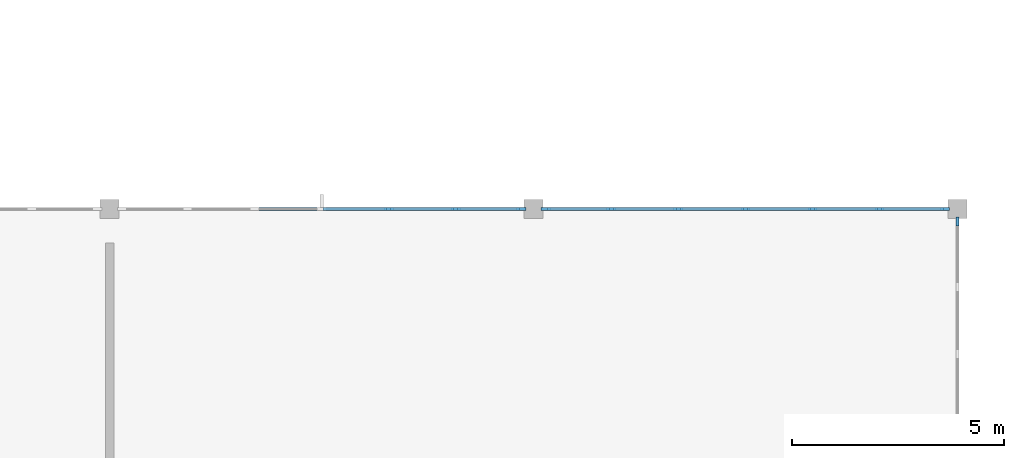
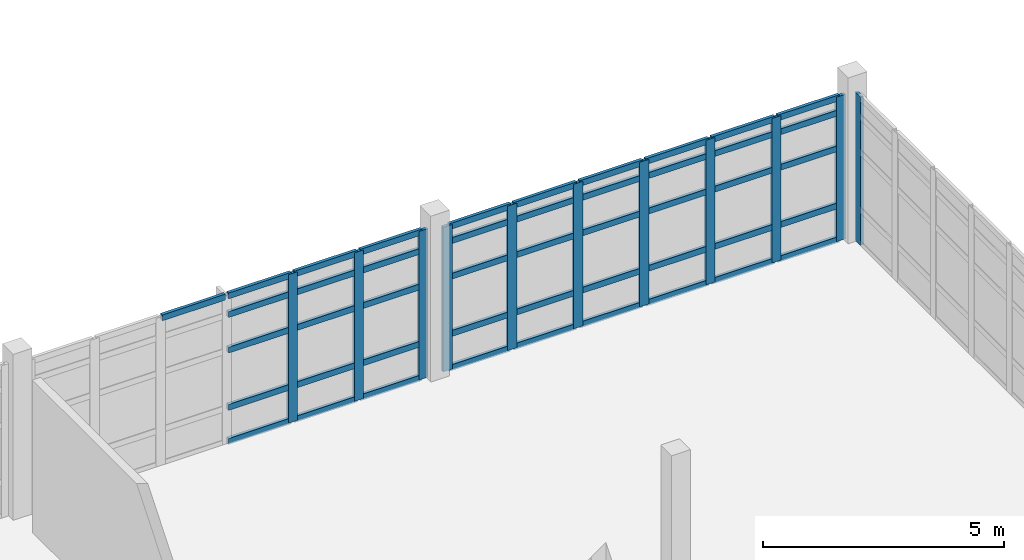
# One storey, part 70 of 122: 57 members, 3 elements without a shape of their own.
"""IFC4 building model written with IfcOpenShell, lengths in metres."""

import ifcopenshell
import ifcopenshell.guid

model = None  # the IFC model being written
_history = None  # IfcOwnerHistory: only IFC2X3 demands one
_inside = {}  # id of a spatial element -> (the spatial element, [elements in it])
_under = {}  # id of a project, library or spatial element -> (it, [spatial elements below it])
_declared = {}  # id of a project -> (the project, [libraries it declares])
_typed = {}  # id of a type object -> (the type object, [elements of that type])
_made_of = {}  # id of a material, layer set ... -> (it, [elements and type objects made of it])


def new_model(schema):
    """Start an empty IFC model of exactly this schema.

    Asked for "IFC4X3", IfcOpenShell would pick the latest addendum, in which some entities
    have other attributes; the version numbers below select the first issue.
    IFC2X3 requires an IfcOwnerHistory on every rooted entity: one is made here for all.
    """
    global model, _history
    if schema == "IFC4X3":
        model = ifcopenshell.file(schema_version=(4, 3, 0, 0))
    else:
        model = ifcopenshell.file(schema=schema)
    _inside.clear()
    _under.clear()
    _declared.clear()
    _typed.clear()
    _made_of.clear()
    _history = None
    if model.schema == "IFC2X3":
        org = make("IfcOrganization", Name="unknown")
        user = make(
            "IfcPersonAndOrganization",
            ThePerson=make("IfcPerson", FamilyName="unknown"),
            TheOrganization=org,
        )
        app = make(
            "IfcApplication",
            ApplicationDeveloper=org,
            Version="unknown",
            ApplicationFullName="unknown",
            ApplicationIdentifier="unknown",
        )
        _history = make(
            "IfcOwnerHistory",
            OwningUser=user,
            OwningApplication=app,
            ChangeAction="ADDED",
            CreationDate=0,
        )
    return model


def make(cls, **values):
    """One entity of the class cls with the attributes given. An attribute that is None is left unset."""
    return model.create_entity(
        cls, **{name: value for name, value in values.items() if value is not None}
    )


def rooted(cls, **values):
    """An entity with a GlobalId (a new one), such as an element, a storey or a relation."""
    return make(cls, GlobalId=ifcopenshell.guid.new(), OwnerHistory=_history, **values)


def si_unit(unit_type, name, prefix=None):
    """IfcSIUnit, for example si_unit("LENGTHUNIT", "METRE", prefix="MILLI")."""
    return make("IfcSIUnit", UnitType=unit_type, Prefix=prefix, Name=name)


def assignment(units):
    """IfcUnitAssignment: the units of a project."""
    return None if units is None else make("IfcUnitAssignment", Units=units)


def point(xyz):
    """IfcCartesianPoint."""
    return None if xyz is None else make("IfcCartesianPoint", Coordinates=xyz)


def direction(xyz):
    """IfcDirection."""
    return None if xyz is None else make("IfcDirection", DirectionRatios=xyz)


def frame(location, z_axis=None, x_axis=None):
    """IfcAxis2Placement3D, a coordinate frame: its origin and axes. An axis left out is left unset."""
    return make(
        "IfcAxis2Placement3D",
        Location=point(location),
        Axis=direction(z_axis),
        RefDirection=direction(x_axis),
    )


def frame_2d(location, x_axis=None):
    """IfcAxis2Placement2D, a coordinate frame in the plane: its origin and x axis."""
    return make(
        "IfcAxis2Placement2D", Location=point(location), RefDirection=direction(x_axis)
    )


def origin():
    """The frame at (0, 0, 0) with its axes left unset."""
    return frame((0.0, 0.0, 0.0))


def origin_2d():
    """The frame at (0, 0) in the plane with its x axis left unset."""
    return frame_2d((0.0, 0.0))


def place(relative_to, where):
    """IfcLocalPlacement: puts the frame where relative to a parent placement (None: the world)."""
    return make(
        "IfcLocalPlacement", PlacementRelTo=relative_to, RelativePlacement=where
    )


def context(
    kind, dimensions, precision=None, world=None, true_north=None, identifier=None
):
    """IfcGeometricRepresentationContext, for example the 3D "Model" context."""
    return make(
        "IfcGeometricRepresentationContext",
        ContextIdentifier=identifier,
        ContextType=kind,
        CoordinateSpaceDimension=dimensions,
        Precision=precision,
        WorldCoordinateSystem=world,
        TrueNorth=true_north,
    )


def subcontext(parent, identifier, kind, view, scale=None):
    """IfcGeometricRepresentationSubContext, for example "Body" below "Model"."""
    return make(
        "IfcGeometricRepresentationSubContext",
        ContextIdentifier=identifier,
        ContextType=kind,
        ParentContext=parent,
        TargetScale=scale,
        TargetView=view,
    )


def project(units=None, contexts=None):
    """IfcProject with its units and contexts."""
    return rooted(
        "IfcProject",
        Name="project",
        RepresentationContexts=contexts,
        UnitsInContext=assignment(units),
    )


def spatial(cls, under=None, at=None, **own):
    """A site, building, storey or space (cls), placed at a placement, below another one or the project."""
    s = rooted(cls, ObjectPlacement=at, **own)
    if under is not None:
        _under.setdefault(under.id(), (under, []))[1].append(s)
    return s


def profile(cls, at=None, kind="AREA", **sizes):
    """A parametric profile (cls). Its sizes go by their IFC names, for example OverallWidth=200.0."""
    return make(cls, ProfileType=kind, Position=at, **sizes)


def rectangle(**sizes):
    """IfcRectangleProfileDef."""
    return profile("IfcRectangleProfileDef", **sizes)


def extrude(swept, where, along, depth):
    """IfcExtrudedAreaSolid: the profile swept, set in the frame where, extruded along a direction by depth."""
    return make(
        "IfcExtrudedAreaSolid",
        SweptArea=swept,
        Position=where,
        ExtrudedDirection=direction(along),
        Depth=depth,
    )


def shape(context_of_items, identifier, shape_type, items):
    """IfcShapeRepresentation: the items that make up one representation, for example the "Body"."""
    return make(
        "IfcShapeRepresentation",
        ContextOfItems=context_of_items,
        RepresentationIdentifier=identifier,
        RepresentationType=shape_type,
        Items=items,
    )


def material(Name=None, Category=None):
    """IfcMaterial."""
    return make("IfcMaterial", Name=Name, Category=Category)


def layer(
    of_material, thickness, ventilated=None, Name=None, Category=None, Priority=None
):
    """IfcMaterialLayer: one layer of a wall or slab, of a material (None: an air gap)."""
    return make(
        "IfcMaterialLayer",
        Material=of_material,
        LayerThickness=thickness,
        IsVentilated=ventilated,
        Name=Name,
        Category=Category,
        Priority=Priority,
    )


def layer_set(layers, Name=None):
    """IfcMaterialLayerSet."""
    return make("IfcMaterialLayerSet", MaterialLayers=layers, LayerSetName=Name)


def material_profile(
    of_material, cross_section, Name=None, Category=None, Priority=None
):
    """IfcMaterialProfile: a cross section and its material."""
    return make(
        "IfcMaterialProfile",
        Name=Name,
        Material=of_material,
        Profile=cross_section,
        Priority=Priority,
        Category=Category,
    )


def profile_set(profiles, Name=None, composite=None):
    """IfcMaterialProfileSet."""
    return make(
        "IfcMaterialProfileSet",
        Name=Name,
        MaterialProfiles=profiles,
        CompositeProfile=composite,
    )


def made_of(thing, what):
    """Note that an element or type object is made of a material, layer set ...; save() writes the relation."""
    if what is not None:
        _made_of.setdefault(what.id(), (what, []))[1].append(thing)
    return thing


def type_object(cls, material=None, **own):
    """A type object (cls), such as IfcWallType, which elements share."""
    return made_of(rooted(cls, **own), material)


def element(
    cls,
    number,
    at=None,
    inside=None,
    cuts=None,
    type_object=None,
    material=None,
    context=None,
    identifier="Body",
    shape_type=None,
    held_by="IfcProductDefinitionShape",
    body=None,
    shapes=None,
    **own,
):
    """One element of the class cls, such as IfcWall. Its Tag is "e" and its number.

    at: its placement. inside: the storey or other place that contains it. cuts: it is an
    opening in that element (IfcRelVoidsElement). A single representation is given by context,
    identifier, shape_type and body (its items); several are given by shapes. held_by: the class
    of the entity that holds the representations. save() writes the other relations.
    """
    e = rooted(cls, Tag="e%d" % number, ObjectPlacement=at, **own)
    if body is not None:
        shapes = [shape(context, identifier, shape_type, body)]
    if shapes is not None:
        e.Representation = make(held_by, Representations=shapes)
    if inside is not None:
        _inside.setdefault(inside.id(), (inside, []))[1].append(e)
    if cuts is not None:
        rooted(
            "IfcRelVoidsElement", RelatingBuildingElement=cuts, RelatedOpeningElement=e
        )
    if type_object is not None:
        _typed.setdefault(type_object.id(), (type_object, []))[1].append(e)
    return made_of(e, material)


def aggregate(whole, parts):
    """IfcRelAggregates: a whole, such as a stair, and the parts it consists of."""
    return rooted("IfcRelAggregates", RelatingObject=whole, RelatedObjects=parts)


def save(model, path):
    """Write the relations noted so far, then the file.

    IfcRelAggregates (storeys below a building ...), IfcRelContainedInSpatialStructure (elements
    in a storey), IfcRelDefinesByType, IfcRelAssociatesMaterial and IfcRelDeclares: one each for
    every whole, place, type object, material and project.
    """
    for whole, parts in _under.values():
        aggregate(whole, parts)
    for where, things in _inside.values():
        rooted(
            "IfcRelContainedInSpatialStructure",
            RelatedElements=things,
            RelatingStructure=where,
        )
    for kind, things in _typed.values():
        rooted("IfcRelDefinesByType", RelatedObjects=things, RelatingType=kind)
    for what, things in _made_of.values():
        rooted("IfcRelAssociatesMaterial", RelatedObjects=things, RelatingMaterial=what)
    for by, libraries in _declared.values():
        rooted("IfcRelDeclares", RelatingContext=by, RelatedDefinitions=libraries)
    model.write(path)


model = new_model("IFC4")

# Units and contexts
model_context = context("Model", 3, precision=1e-05, world=origin(), true_north=direction((0.0, 1.0)))
body_context = subcontext(model_context, "Body", "Model", "MODEL_VIEW")
ifc_project = project(units=[si_unit("LENGTHUNIT", "METRE"), si_unit("AREAUNIT", "SQUARE_METRE"), si_unit("VOLUMEUNIT", "CUBIC_METRE"), si_unit("PLANEANGLEUNIT", "RADIAN"), si_unit("MASSUNIT", "GRAM", prefix="KILO"), si_unit("THERMODYNAMICTEMPERATUREUNIT", "KELVIN"), si_unit("POWERUNIT", "WATT")], contexts=[model_context])

# Site, building, storey
site_placement = place(None, origin())
site = spatial("IfcSite", under=ifc_project, at=site_placement, CompositionType="ELEMENT")
building_placement = place(site_placement, origin())
building = spatial("IfcBuilding", under=site, at=building_placement, Name="Korenveer Ferry Terminal", CompositionType="ELEMENT")
storey_placement = place(building_placement, frame((0.0, 0.0, 10.199951171875)))
storey = spatial("IfcBuildingStorey", under=building, at=storey_placement, Name="L02", CompositionType="ELEMENT", Elevation=10.199951171875)

# Curtain wall, members
ifc_material_1 = material(Name="Unitised bronze-and-glass curtain wall", Category="glass")
ifc_layer_1 = layer(ifc_material_1, 0.219970703125)
ifc_layer_set_1 = layer_set([ifc_layer_1], Name="Unitised bronze-and-glass curtain wall")
curtain_wall_type_1 = type_object("IfcCurtainWallType", Name="ENV-CW-100", PredefinedType="USERDEFINED", material=ifc_layer_set_1)
curtain_wall_1_placement = place(storey_placement, frame((156.2548828125, 80.0, 0.0)))
curtain_wall_1 = element("IfcCurtainWall", 1, at=curtain_wall_1_placement, inside=storey, type_object=curtain_wall_type_1, Name="Lancet curtain wall CWX-L02-X156-166-Y80-80", ObjectType="UNITISED CURTAIN WALL", PredefinedType="USERDEFINED")
ifc_material_2 = material(Name="Anodised bronze aluminium", Category="aluminium")
ifc_material_profile_1 = material_profile(ifc_material_2, rectangle(XDim=0.074951171875, YDim=0.219970703125, at=origin_2d()), Name="ALU 75x220")
ifc_profile_set_1 = profile_set([ifc_material_profile_1], Name="Anodised bronze aluminium")
member_type_1 = type_object("IfcMemberType", Name="ENV-CWM-75X220", PredefinedType="MULLION", material=ifc_profile_set_1)
member_1_placement = place(storey_placement, frame((162.581787109375, 80.0, 0.0), z_axis=(0.0, 0.0, 1.0), x_axis=(0.0, 1.0, 0.0)))
member_1 = element("IfcMember", 2, at=member_1_placement, type_object=member_type_1, Name="CW-100 mullion 5", PredefinedType="MULLION", context=body_context, shape_type="SweptSolid", body=[
    extrude(rectangle(XDim=0.074951171875, YDim=0.219970703125, at=origin_2d()), origin(), (0.0, 0.0, 1.0), 3.760009765625),
])
member_2_placement = place(storey_placement, frame((164.163330078125, 80.0, 0.0), z_axis=(0.0, 0.0, 1.0), x_axis=(0.0, 1.0, 0.0)))
member_2 = element("IfcMember", 3, at=member_2_placement, type_object=member_type_1, Name="CW-100 mullion 6", PredefinedType="MULLION", context=body_context, shape_type="SweptSolid", body=[
    extrude(rectangle(XDim=0.074951171875, YDim=0.219970703125, at=origin_2d()), origin(), (0.0, 0.0, 1.0), 3.760009765625),
])
member_3_placement = place(storey_placement, frame((165.70751953125, 80.0, 0.0), z_axis=(0.0, 0.0, 1.0), x_axis=(0.0, 1.0, 0.0)))
member_3 = element("IfcMember", 4, at=member_3_placement, type_object=member_type_1, Name="CW-100 mullion 7", PredefinedType="MULLION", context=body_context, shape_type="SweptSolid", body=[
    extrude(rectangle(XDim=0.074951171875, YDim=0.219970703125, at=origin_2d()), origin(), (0.0, 0.0, 1.0), 3.760009765625),
])

ifc_layer_2 = layer(ifc_material_1, 0.219970703125)
ifc_layer_set_2 = layer_set([ifc_layer_2], Name="Unitised bronze-and-glass curtain wall")
curtain_wall_type_2 = type_object("IfcCurtainWallType", Name="ENV-CW-101", PredefinedType="USERDEFINED", material=ifc_layer_set_2)
curtain_wall_2_placement = place(storey_placement, frame((166.2548828125, 80.0, 0.0)))
curtain_wall_2 = element("IfcCurtainWall", 5, at=curtain_wall_2_placement, inside=storey, type_object=curtain_wall_type_2, Name="Lancet curtain wall CWX-L02-X166-176-Y80-80", ObjectType="UNITISED CURTAIN WALL", PredefinedType="USERDEFINED")
member_4_placement = place(storey_placement, frame((166.29248046875, 80.0, 0.0), z_axis=(0.0, 0.0, 1.0), x_axis=(0.0, 1.0, 0.0)))
member_4 = element("IfcMember", 6, at=member_4_placement, type_object=member_type_1, Name="CW-101 mullion 1", PredefinedType="MULLION", context=body_context, shape_type="SweptSolid", body=[
    extrude(rectangle(XDim=0.074951171875, YDim=0.219970703125, at=origin_2d()), origin(), (0.0, 0.0, 1.0), 3.66015625),
])
member_5_placement = place(storey_placement, frame((167.836669921875, 80.0, 0.0), z_axis=(0.0, 0.0, 1.0), x_axis=(0.0, 1.0, 0.0)))
member_5 = element("IfcMember", 7, at=member_5_placement, type_object=member_type_1, Name="CW-101 mullion 2", PredefinedType="MULLION", context=body_context, shape_type="SweptSolid", body=[
    extrude(rectangle(XDim=0.074951171875, YDim=0.219970703125, at=origin_2d()), origin(), (0.0, 0.0, 1.0), 3.66015625),
])
member_6_placement = place(storey_placement, frame((169.418212890625, 80.0, 0.0), z_axis=(0.0, 0.0, 1.0), x_axis=(0.0, 1.0, 0.0)))
member_6 = element("IfcMember", 8, at=member_6_placement, type_object=member_type_1, Name="CW-101 mullion 3", PredefinedType="MULLION", context=body_context, shape_type="SweptSolid", body=[
    extrude(rectangle(XDim=0.074951171875, YDim=0.219970703125, at=origin_2d()), origin(), (0.0, 0.0, 1.0), 3.66015625),
])
member_7_placement = place(storey_placement, frame((171.0, 80.0, 0.0), z_axis=(0.0, 0.0, 1.0), x_axis=(0.0, 1.0, 0.0)))
member_7 = element("IfcMember", 9, at=member_7_placement, type_object=member_type_1, Name="CW-101 mullion 4", PredefinedType="MULLION", context=body_context, shape_type="SweptSolid", body=[
    extrude(rectangle(XDim=0.074951171875, YDim=0.219970703125, at=origin_2d()), origin(), (0.0, 0.0, 1.0), 3.66015625),
])
member_8_placement = place(storey_placement, frame((172.581787109375, 80.0, 0.0), z_axis=(0.0, 0.0, 1.0), x_axis=(0.0, 1.0, 0.0)))
member_8 = element("IfcMember", 10, at=member_8_placement, type_object=member_type_1, Name="CW-101 mullion 5", PredefinedType="MULLION", context=body_context, shape_type="SweptSolid", body=[
    extrude(rectangle(XDim=0.074951171875, YDim=0.219970703125, at=origin_2d()), origin(), (0.0, 0.0, 1.0), 3.66015625),
])
member_9_placement = place(storey_placement, frame((174.163330078125, 80.0, 0.0), z_axis=(0.0, 0.0, 1.0), x_axis=(0.0, 1.0, 0.0)))
member_9 = element("IfcMember", 11, at=member_9_placement, type_object=member_type_1, Name="CW-101 mullion 6", PredefinedType="MULLION", context=body_context, shape_type="SweptSolid", body=[
    extrude(rectangle(XDim=0.074951171875, YDim=0.219970703125, at=origin_2d()), origin(), (0.0, 0.0, 1.0), 3.66015625),
])
member_10_placement = place(storey_placement, frame((175.70751953125, 80.0, 0.0), z_axis=(0.0, 0.0, 1.0), x_axis=(0.0, 1.0, 0.0)))
member_10 = element("IfcMember", 12, at=member_10_placement, type_object=member_type_1, Name="CW-101 mullion 7", PredefinedType="MULLION", context=body_context, shape_type="SweptSolid", body=[
    extrude(rectangle(XDim=0.074951171875, YDim=0.219970703125, at=origin_2d()), origin(), (0.0, 0.0, 1.0), 3.66015625),
])

# Curtain wall, member
curtain_wall_3_placement = place(storey_placement, frame((176.0, 79.7451171875, 0.0)))
curtain_wall_3 = element("IfcCurtainWall", 13, at=curtain_wall_3_placement, inside=storey, type_object=curtain_wall_type_1, Name="Lancet curtain wall CWX-L02-X176-176-Y70-80", ObjectType="UNITISED CURTAIN WALL", PredefinedType="USERDEFINED")
member_11_placement = place(storey_placement, frame((176.0, 79.70751953125, 0.0), z_axis=(0.0, 0.0, 1.0), x_axis=(1.0, 0.0, 0.0)))
member_11 = element("IfcMember", 14, at=member_11_placement, type_object=member_type_1, Name="CW-100 mullion 1", PredefinedType="MULLION", context=body_context, shape_type="SweptSolid", body=[
    extrude(rectangle(XDim=0.074951171875, YDim=0.219970703125, at=origin_2d()), origin(), (0.0, 0.0, 1.0), 3.760009765625),
])
aggregate(curtain_wall_3, [member_11])

# Member
ifc_material_profile_2 = material_profile(ifc_material_2, rectangle(XDim=0.074951171875, YDim=0.14990234375, at=origin_2d()), Name="ALU 75x150")
ifc_profile_set_2 = profile_set([ifc_material_profile_2], Name="Anodised bronze aluminium")
member_type_2 = type_object("IfcMemberType", Name="ENV-CWT-75X150", PredefinedType="USERDEFINED", material=ifc_profile_set_2)
member_12_placement = place(storey_placement, frame((159.455810546875, 80.0, 3.72265625), z_axis=(1.0, 0.0, 0.0), x_axis=(0.0, 1.0, 0.0)))
member_12 = element("IfcMember", 15, at=member_12_placement, type_object=member_type_2, Name="CW-100 transom 3.5", ObjectType="TRANSOM", PredefinedType="USERDEFINED", context=body_context, shape_type="SweptSolid", body=[
    extrude(rectangle(XDim=0.074951171875, YDim=0.14990234375, at=origin_2d()), origin(), (0.0, 0.0, 1.0), 1.506591796875),
])

member_13_placement = place(storey_placement, frame((161.03759765625, 80.0, 0.03759765625), z_axis=(1.0, 0.0, 0.0), x_axis=(0.0, 1.0, 0.0)))
member_13 = element("IfcMember", 16, at=member_13_placement, type_object=member_type_2, Name="CW-100 transom 4.1", ObjectType="TRANSOM", PredefinedType="USERDEFINED", context=body_context, shape_type="SweptSolid", body=[
    extrude(rectangle(XDim=0.074951171875, YDim=0.14990234375, at=origin_2d()), origin(), (0.0, 0.0, 1.0), 1.506591796875),
])

member_14_placement = place(storey_placement, frame((161.03759765625, 80.0, 0.900146484375), z_axis=(1.0, 0.0, 0.0), x_axis=(0.0, 1.0, 0.0)))
member_14 = element("IfcMember", 17, at=member_14_placement, type_object=member_type_2, Name="CW-100 transom 4.2", ObjectType="TRANSOM", PredefinedType="USERDEFINED", context=body_context, shape_type="SweptSolid", body=[
    extrude(rectangle(XDim=0.074951171875, YDim=0.14990234375, at=origin_2d()), origin(), (0.0, 0.0, 1.0), 1.506591796875),
])

member_15_placement = place(storey_placement, frame((161.03759765625, 80.0, 2.35009765625), z_axis=(1.0, 0.0, 0.0), x_axis=(0.0, 1.0, 0.0)))
member_15 = element("IfcMember", 18, at=member_15_placement, type_object=member_type_2, Name="CW-100 transom 4.3", ObjectType="TRANSOM", PredefinedType="USERDEFINED", context=body_context, shape_type="SweptSolid", body=[
    extrude(rectangle(XDim=0.074951171875, YDim=0.14990234375, at=origin_2d()), origin(), (0.0, 0.0, 1.0), 1.506591796875),
])

member_16_placement = place(storey_placement, frame((161.03759765625, 80.0, 3.25), z_axis=(1.0, 0.0, 0.0), x_axis=(0.0, 1.0, 0.0)))
member_16 = element("IfcMember", 19, at=member_16_placement, type_object=member_type_2, Name="CW-100 transom 4.4", ObjectType="TRANSOM", PredefinedType="USERDEFINED", context=body_context, shape_type="SweptSolid", body=[
    extrude(rectangle(XDim=0.074951171875, YDim=0.14990234375, at=origin_2d()), origin(), (0.0, 0.0, 1.0), 1.506591796875),
])

member_17_placement = place(storey_placement, frame((161.03759765625, 80.0, 3.72265625), z_axis=(1.0, 0.0, 0.0), x_axis=(0.0, 1.0, 0.0)))
member_17 = element("IfcMember", 20, at=member_17_placement, type_object=member_type_2, Name="CW-100 transom 4.5", ObjectType="TRANSOM", PredefinedType="USERDEFINED", context=body_context, shape_type="SweptSolid", body=[
    extrude(rectangle(XDim=0.074951171875, YDim=0.14990234375, at=origin_2d()), origin(), (0.0, 0.0, 1.0), 1.506591796875),
])

member_18_placement = place(storey_placement, frame((162.619140625, 80.0, 0.03759765625), z_axis=(1.0, 0.0, 0.0), x_axis=(0.0, 1.0, 0.0)))
member_18 = element("IfcMember", 21, at=member_18_placement, type_object=member_type_2, Name="CW-100 transom 5.1", ObjectType="TRANSOM", PredefinedType="USERDEFINED", context=body_context, shape_type="SweptSolid", body=[
    extrude(rectangle(XDim=0.074951171875, YDim=0.14990234375, at=origin_2d()), origin(), (0.0, 0.0, 1.0), 1.506591796875),
])

member_19_placement = place(storey_placement, frame((162.619140625, 80.0, 0.900146484375), z_axis=(1.0, 0.0, 0.0), x_axis=(0.0, 1.0, 0.0)))
member_19 = element("IfcMember", 22, at=member_19_placement, type_object=member_type_2, Name="CW-100 transom 5.2", ObjectType="TRANSOM", PredefinedType="USERDEFINED", context=body_context, shape_type="SweptSolid", body=[
    extrude(rectangle(XDim=0.074951171875, YDim=0.14990234375, at=origin_2d()), origin(), (0.0, 0.0, 1.0), 1.506591796875),
])

member_20_placement = place(storey_placement, frame((162.619140625, 80.0, 2.35009765625), z_axis=(1.0, 0.0, 0.0), x_axis=(0.0, 1.0, 0.0)))
member_20 = element("IfcMember", 23, at=member_20_placement, type_object=member_type_2, Name="CW-100 transom 5.3", ObjectType="TRANSOM", PredefinedType="USERDEFINED", context=body_context, shape_type="SweptSolid", body=[
    extrude(rectangle(XDim=0.074951171875, YDim=0.14990234375, at=origin_2d()), origin(), (0.0, 0.0, 1.0), 1.506591796875),
])

member_21_placement = place(storey_placement, frame((162.619140625, 80.0, 3.25), z_axis=(1.0, 0.0, 0.0), x_axis=(0.0, 1.0, 0.0)))
member_21 = element("IfcMember", 24, at=member_21_placement, type_object=member_type_2, Name="CW-100 transom 5.4", ObjectType="TRANSOM", PredefinedType="USERDEFINED", context=body_context, shape_type="SweptSolid", body=[
    extrude(rectangle(XDim=0.074951171875, YDim=0.14990234375, at=origin_2d()), origin(), (0.0, 0.0, 1.0), 1.506591796875),
])

member_22_placement = place(storey_placement, frame((162.619140625, 80.0, 3.72265625), z_axis=(1.0, 0.0, 0.0), x_axis=(0.0, 1.0, 0.0)))
member_22 = element("IfcMember", 25, at=member_22_placement, type_object=member_type_2, Name="CW-100 transom 5.5", ObjectType="TRANSOM", PredefinedType="USERDEFINED", context=body_context, shape_type="SweptSolid", body=[
    extrude(rectangle(XDim=0.074951171875, YDim=0.14990234375, at=origin_2d()), origin(), (0.0, 0.0, 1.0), 1.506591796875),
])

member_23_placement = place(storey_placement, frame((164.200927734375, 80.0, 0.03759765625), z_axis=(1.0, 0.0, 0.0), x_axis=(0.0, 1.0, 0.0)))
member_23 = element("IfcMember", 26, at=member_23_placement, type_object=member_type_2, Name="CW-100 transom 6.1", ObjectType="TRANSOM", PredefinedType="USERDEFINED", context=body_context, shape_type="SweptSolid", body=[
    extrude(rectangle(XDim=0.074951171875, YDim=0.14990234375, at=origin_2d()), origin(), (0.0, 0.0, 1.0), 1.468994140625),
])

member_24_placement = place(storey_placement, frame((164.200927734375, 80.0, 0.900146484375), z_axis=(1.0, 0.0, 0.0), x_axis=(0.0, 1.0, 0.0)))
member_24 = element("IfcMember", 27, at=member_24_placement, type_object=member_type_2, Name="CW-100 transom 6.2", ObjectType="TRANSOM", PredefinedType="USERDEFINED", context=body_context, shape_type="SweptSolid", body=[
    extrude(rectangle(XDim=0.074951171875, YDim=0.14990234375, at=origin_2d()), origin(), (0.0, 0.0, 1.0), 1.468994140625),
])

member_25_placement = place(storey_placement, frame((164.200927734375, 80.0, 2.35009765625), z_axis=(1.0, 0.0, 0.0), x_axis=(0.0, 1.0, 0.0)))
member_25 = element("IfcMember", 28, at=member_25_placement, type_object=member_type_2, Name="CW-100 transom 6.3", ObjectType="TRANSOM", PredefinedType="USERDEFINED", context=body_context, shape_type="SweptSolid", body=[
    extrude(rectangle(XDim=0.074951171875, YDim=0.14990234375, at=origin_2d()), origin(), (0.0, 0.0, 1.0), 1.468994140625),
])

member_26_placement = place(storey_placement, frame((164.200927734375, 80.0, 3.25), z_axis=(1.0, 0.0, 0.0), x_axis=(0.0, 1.0, 0.0)))
member_26 = element("IfcMember", 29, at=member_26_placement, type_object=member_type_2, Name="CW-100 transom 6.4", ObjectType="TRANSOM", PredefinedType="USERDEFINED", context=body_context, shape_type="SweptSolid", body=[
    extrude(rectangle(XDim=0.074951171875, YDim=0.14990234375, at=origin_2d()), origin(), (0.0, 0.0, 1.0), 1.468994140625),
])

member_27_placement = place(storey_placement, frame((164.200927734375, 80.0, 3.72265625), z_axis=(1.0, 0.0, 0.0), x_axis=(0.0, 1.0, 0.0)))
member_27 = element("IfcMember", 30, at=member_27_placement, type_object=member_type_2, Name="CW-100 transom 6.5", ObjectType="TRANSOM", PredefinedType="USERDEFINED", context=body_context, shape_type="SweptSolid", body=[
    extrude(rectangle(XDim=0.074951171875, YDim=0.14990234375, at=origin_2d()), origin(), (0.0, 0.0, 1.0), 1.468994140625),
])

aggregate(curtain_wall_1, [member_1, member_2, member_3, member_12, member_13, member_14, member_15, member_16, member_17, member_18, member_19, member_20, member_21, member_22, member_23, member_24, member_25, member_26, member_27])

member_28_placement = place(storey_placement, frame((166.330078125, 80.0, 0.03759765625), z_axis=(1.0, 0.0, 0.0), x_axis=(0.0, 1.0, 0.0)))
member_28 = element("IfcMember", 31, at=member_28_placement, type_object=member_type_2, Name="CW-101 transom 1.1", ObjectType="TRANSOM", PredefinedType="USERDEFINED", context=body_context, shape_type="SweptSolid", body=[
    extrude(rectangle(XDim=0.074951171875, YDim=0.14990234375, at=origin_2d()), origin(), (0.0, 0.0, 1.0), 1.468994140625),
])

member_29_placement = place(storey_placement, frame((166.330078125, 80.0, 0.900146484375), z_axis=(1.0, 0.0, 0.0), x_axis=(0.0, 1.0, 0.0)))
member_29 = element("IfcMember", 32, at=member_29_placement, type_object=member_type_2, Name="CW-101 transom 1.2", ObjectType="TRANSOM", PredefinedType="USERDEFINED", context=body_context, shape_type="SweptSolid", body=[
    extrude(rectangle(XDim=0.074951171875, YDim=0.14990234375, at=origin_2d()), origin(), (0.0, 0.0, 1.0), 1.468994140625),
])

member_30_placement = place(storey_placement, frame((166.330078125, 80.0, 2.35009765625), z_axis=(1.0, 0.0, 0.0), x_axis=(0.0, 1.0, 0.0)))
member_30 = element("IfcMember", 33, at=member_30_placement, type_object=member_type_2, Name="CW-101 transom 1.3", ObjectType="TRANSOM", PredefinedType="USERDEFINED", context=body_context, shape_type="SweptSolid", body=[
    extrude(rectangle(XDim=0.074951171875, YDim=0.14990234375, at=origin_2d()), origin(), (0.0, 0.0, 1.0), 1.468994140625),
])

member_31_placement = place(storey_placement, frame((166.330078125, 80.0, 3.25), z_axis=(1.0, 0.0, 0.0), x_axis=(0.0, 1.0, 0.0)))
member_31 = element("IfcMember", 34, at=member_31_placement, type_object=member_type_2, Name="CW-101 transom 1.4", ObjectType="TRANSOM", PredefinedType="USERDEFINED", context=body_context, shape_type="SweptSolid", body=[
    extrude(rectangle(XDim=0.074951171875, YDim=0.14990234375, at=origin_2d()), origin(), (0.0, 0.0, 1.0), 1.468994140625),
])

member_32_placement = place(storey_placement, frame((166.330078125, 80.0, 3.62255859375), z_axis=(1.0, 0.0, 0.0), x_axis=(0.0, 1.0, 0.0)))
member_32 = element("IfcMember", 35, at=member_32_placement, type_object=member_type_2, Name="CW-101 transom 1.5", ObjectType="TRANSOM", PredefinedType="USERDEFINED", context=body_context, shape_type="SweptSolid", body=[
    extrude(rectangle(XDim=0.074951171875, YDim=0.14990234375, at=origin_2d()), origin(), (0.0, 0.0, 1.0), 1.468994140625),
])

member_33_placement = place(storey_placement, frame((167.874267578125, 80.0, 0.03759765625), z_axis=(1.0, 0.0, 0.0), x_axis=(0.0, 1.0, 0.0)))
member_33 = element("IfcMember", 36, at=member_33_placement, type_object=member_type_2, Name="CW-101 transom 2.1", ObjectType="TRANSOM", PredefinedType="USERDEFINED", context=body_context, shape_type="SweptSolid", body=[
    extrude(rectangle(XDim=0.074951171875, YDim=0.14990234375, at=origin_2d()), origin(), (0.0, 0.0, 1.0), 1.506591796875),
])

member_34_placement = place(storey_placement, frame((167.874267578125, 80.0, 0.900146484375), z_axis=(1.0, 0.0, 0.0), x_axis=(0.0, 1.0, 0.0)))
member_34 = element("IfcMember", 37, at=member_34_placement, type_object=member_type_2, Name="CW-101 transom 2.2", ObjectType="TRANSOM", PredefinedType="USERDEFINED", context=body_context, shape_type="SweptSolid", body=[
    extrude(rectangle(XDim=0.074951171875, YDim=0.14990234375, at=origin_2d()), origin(), (0.0, 0.0, 1.0), 1.506591796875),
])

member_35_placement = place(storey_placement, frame((167.874267578125, 80.0, 2.35009765625), z_axis=(1.0, 0.0, 0.0), x_axis=(0.0, 1.0, 0.0)))
member_35 = element("IfcMember", 38, at=member_35_placement, type_object=member_type_2, Name="CW-101 transom 2.3", ObjectType="TRANSOM", PredefinedType="USERDEFINED", context=body_context, shape_type="SweptSolid", body=[
    extrude(rectangle(XDim=0.074951171875, YDim=0.14990234375, at=origin_2d()), origin(), (0.0, 0.0, 1.0), 1.506591796875),
])

member_36_placement = place(storey_placement, frame((167.874267578125, 80.0, 3.25), z_axis=(1.0, 0.0, 0.0), x_axis=(0.0, 1.0, 0.0)))
member_36 = element("IfcMember", 39, at=member_36_placement, type_object=member_type_2, Name="CW-101 transom 2.4", ObjectType="TRANSOM", PredefinedType="USERDEFINED", context=body_context, shape_type="SweptSolid", body=[
    extrude(rectangle(XDim=0.074951171875, YDim=0.14990234375, at=origin_2d()), origin(), (0.0, 0.0, 1.0), 1.506591796875),
])

member_37_placement = place(storey_placement, frame((167.874267578125, 80.0, 3.62255859375), z_axis=(1.0, 0.0, 0.0), x_axis=(0.0, 1.0, 0.0)))
member_37 = element("IfcMember", 40, at=member_37_placement, type_object=member_type_2, Name="CW-101 transom 2.5", ObjectType="TRANSOM", PredefinedType="USERDEFINED", context=body_context, shape_type="SweptSolid", body=[
    extrude(rectangle(XDim=0.074951171875, YDim=0.14990234375, at=origin_2d()), origin(), (0.0, 0.0, 1.0), 1.506591796875),
])

member_38_placement = place(storey_placement, frame((169.455810546875, 80.0, 0.03759765625), z_axis=(1.0, 0.0, 0.0), x_axis=(0.0, 1.0, 0.0)))
member_38 = element("IfcMember", 41, at=member_38_placement, type_object=member_type_2, Name="CW-101 transom 3.1", ObjectType="TRANSOM", PredefinedType="USERDEFINED", context=body_context, shape_type="SweptSolid", body=[
    extrude(rectangle(XDim=0.074951171875, YDim=0.14990234375, at=origin_2d()), origin(), (0.0, 0.0, 1.0), 1.506591796875),
])

member_39_placement = place(storey_placement, frame((169.455810546875, 80.0, 0.900146484375), z_axis=(1.0, 0.0, 0.0), x_axis=(0.0, 1.0, 0.0)))
member_39 = element("IfcMember", 42, at=member_39_placement, type_object=member_type_2, Name="CW-101 transom 3.2", ObjectType="TRANSOM", PredefinedType="USERDEFINED", context=body_context, shape_type="SweptSolid", body=[
    extrude(rectangle(XDim=0.074951171875, YDim=0.14990234375, at=origin_2d()), origin(), (0.0, 0.0, 1.0), 1.506591796875),
])

member_40_placement = place(storey_placement, frame((169.455810546875, 80.0, 2.35009765625), z_axis=(1.0, 0.0, 0.0), x_axis=(0.0, 1.0, 0.0)))
member_40 = element("IfcMember", 43, at=member_40_placement, type_object=member_type_2, Name="CW-101 transom 3.3", ObjectType="TRANSOM", PredefinedType="USERDEFINED", context=body_context, shape_type="SweptSolid", body=[
    extrude(rectangle(XDim=0.074951171875, YDim=0.14990234375, at=origin_2d()), origin(), (0.0, 0.0, 1.0), 1.506591796875),
])

member_41_placement = place(storey_placement, frame((169.455810546875, 80.0, 3.25), z_axis=(1.0, 0.0, 0.0), x_axis=(0.0, 1.0, 0.0)))
member_41 = element("IfcMember", 44, at=member_41_placement, type_object=member_type_2, Name="CW-101 transom 3.4", ObjectType="TRANSOM", PredefinedType="USERDEFINED", context=body_context, shape_type="SweptSolid", body=[
    extrude(rectangle(XDim=0.074951171875, YDim=0.14990234375, at=origin_2d()), origin(), (0.0, 0.0, 1.0), 1.506591796875),
])

member_42_placement = place(storey_placement, frame((169.455810546875, 80.0, 3.62255859375), z_axis=(1.0, 0.0, 0.0), x_axis=(0.0, 1.0, 0.0)))
member_42 = element("IfcMember", 45, at=member_42_placement, type_object=member_type_2, Name="CW-101 transom 3.5", ObjectType="TRANSOM", PredefinedType="USERDEFINED", context=body_context, shape_type="SweptSolid", body=[
    extrude(rectangle(XDim=0.074951171875, YDim=0.14990234375, at=origin_2d()), origin(), (0.0, 0.0, 1.0), 1.506591796875),
])

member_43_placement = place(storey_placement, frame((171.03759765625, 80.0, 0.03759765625), z_axis=(1.0, 0.0, 0.0), x_axis=(0.0, 1.0, 0.0)))
member_43 = element("IfcMember", 46, at=member_43_placement, type_object=member_type_2, Name="CW-101 transom 4.1", ObjectType="TRANSOM", PredefinedType="USERDEFINED", context=body_context, shape_type="SweptSolid", body=[
    extrude(rectangle(XDim=0.074951171875, YDim=0.14990234375, at=origin_2d()), origin(), (0.0, 0.0, 1.0), 1.506591796875),
])

member_44_placement = place(storey_placement, frame((171.03759765625, 80.0, 0.900146484375), z_axis=(1.0, 0.0, 0.0), x_axis=(0.0, 1.0, 0.0)))
member_44 = element("IfcMember", 47, at=member_44_placement, type_object=member_type_2, Name="CW-101 transom 4.2", ObjectType="TRANSOM", PredefinedType="USERDEFINED", context=body_context, shape_type="SweptSolid", body=[
    extrude(rectangle(XDim=0.074951171875, YDim=0.14990234375, at=origin_2d()), origin(), (0.0, 0.0, 1.0), 1.506591796875),
])

member_45_placement = place(storey_placement, frame((171.03759765625, 80.0, 2.35009765625), z_axis=(1.0, 0.0, 0.0), x_axis=(0.0, 1.0, 0.0)))
member_45 = element("IfcMember", 48, at=member_45_placement, type_object=member_type_2, Name="CW-101 transom 4.3", ObjectType="TRANSOM", PredefinedType="USERDEFINED", context=body_context, shape_type="SweptSolid", body=[
    extrude(rectangle(XDim=0.074951171875, YDim=0.14990234375, at=origin_2d()), origin(), (0.0, 0.0, 1.0), 1.506591796875),
])

member_46_placement = place(storey_placement, frame((171.03759765625, 80.0, 3.25), z_axis=(1.0, 0.0, 0.0), x_axis=(0.0, 1.0, 0.0)))
member_46 = element("IfcMember", 49, at=member_46_placement, type_object=member_type_2, Name="CW-101 transom 4.4", ObjectType="TRANSOM", PredefinedType="USERDEFINED", context=body_context, shape_type="SweptSolid", body=[
    extrude(rectangle(XDim=0.074951171875, YDim=0.14990234375, at=origin_2d()), origin(), (0.0, 0.0, 1.0), 1.506591796875),
])

member_47_placement = place(storey_placement, frame((171.03759765625, 80.0, 3.62255859375), z_axis=(1.0, 0.0, 0.0), x_axis=(0.0, 1.0, 0.0)))
member_47 = element("IfcMember", 50, at=member_47_placement, type_object=member_type_2, Name="CW-101 transom 4.5", ObjectType="TRANSOM", PredefinedType="USERDEFINED", context=body_context, shape_type="SweptSolid", body=[
    extrude(rectangle(XDim=0.074951171875, YDim=0.14990234375, at=origin_2d()), origin(), (0.0, 0.0, 1.0), 1.506591796875),
])

member_48_placement = place(storey_placement, frame((172.619140625, 80.0, 0.03759765625), z_axis=(1.0, 0.0, 0.0), x_axis=(0.0, 1.0, 0.0)))
member_48 = element("IfcMember", 51, at=member_48_placement, type_object=member_type_2, Name="CW-101 transom 5.1", ObjectType="TRANSOM", PredefinedType="USERDEFINED", context=body_context, shape_type="SweptSolid", body=[
    extrude(rectangle(XDim=0.074951171875, YDim=0.14990234375, at=origin_2d()), origin(), (0.0, 0.0, 1.0), 1.506591796875),
])

member_49_placement = place(storey_placement, frame((172.619140625, 80.0, 0.900146484375), z_axis=(1.0, 0.0, 0.0), x_axis=(0.0, 1.0, 0.0)))
member_49 = element("IfcMember", 52, at=member_49_placement, type_object=member_type_2, Name="CW-101 transom 5.2", ObjectType="TRANSOM", PredefinedType="USERDEFINED", context=body_context, shape_type="SweptSolid", body=[
    extrude(rectangle(XDim=0.074951171875, YDim=0.14990234375, at=origin_2d()), origin(), (0.0, 0.0, 1.0), 1.506591796875),
])

member_50_placement = place(storey_placement, frame((172.619140625, 80.0, 2.35009765625), z_axis=(1.0, 0.0, 0.0), x_axis=(0.0, 1.0, 0.0)))
member_50 = element("IfcMember", 53, at=member_50_placement, type_object=member_type_2, Name="CW-101 transom 5.3", ObjectType="TRANSOM", PredefinedType="USERDEFINED", context=body_context, shape_type="SweptSolid", body=[
    extrude(rectangle(XDim=0.074951171875, YDim=0.14990234375, at=origin_2d()), origin(), (0.0, 0.0, 1.0), 1.506591796875),
])

member_51_placement = place(storey_placement, frame((172.619140625, 80.0, 3.25), z_axis=(1.0, 0.0, 0.0), x_axis=(0.0, 1.0, 0.0)))
member_51 = element("IfcMember", 54, at=member_51_placement, type_object=member_type_2, Name="CW-101 transom 5.4", ObjectType="TRANSOM", PredefinedType="USERDEFINED", context=body_context, shape_type="SweptSolid", body=[
    extrude(rectangle(XDim=0.074951171875, YDim=0.14990234375, at=origin_2d()), origin(), (0.0, 0.0, 1.0), 1.506591796875),
])

member_52_placement = place(storey_placement, frame((172.619140625, 80.0, 3.62255859375), z_axis=(1.0, 0.0, 0.0), x_axis=(0.0, 1.0, 0.0)))
member_52 = element("IfcMember", 55, at=member_52_placement, type_object=member_type_2, Name="CW-101 transom 5.5", ObjectType="TRANSOM", PredefinedType="USERDEFINED", context=body_context, shape_type="SweptSolid", body=[
    extrude(rectangle(XDim=0.074951171875, YDim=0.14990234375, at=origin_2d()), origin(), (0.0, 0.0, 1.0), 1.506591796875),
])

member_53_placement = place(storey_placement, frame((174.200927734375, 80.0, 0.03759765625), z_axis=(1.0, 0.0, 0.0), x_axis=(0.0, 1.0, 0.0)))
member_53 = element("IfcMember", 56, at=member_53_placement, type_object=member_type_2, Name="CW-101 transom 6.1", ObjectType="TRANSOM", PredefinedType="USERDEFINED", context=body_context, shape_type="SweptSolid", body=[
    extrude(rectangle(XDim=0.074951171875, YDim=0.14990234375, at=origin_2d()), origin(), (0.0, 0.0, 1.0), 1.468994140625),
])

member_54_placement = place(storey_placement, frame((174.200927734375, 80.0, 0.900146484375), z_axis=(1.0, 0.0, 0.0), x_axis=(0.0, 1.0, 0.0)))
member_54 = element("IfcMember", 57, at=member_54_placement, type_object=member_type_2, Name="CW-101 transom 6.2", ObjectType="TRANSOM", PredefinedType="USERDEFINED", context=body_context, shape_type="SweptSolid", body=[
    extrude(rectangle(XDim=0.074951171875, YDim=0.14990234375, at=origin_2d()), origin(), (0.0, 0.0, 1.0), 1.468994140625),
])

member_55_placement = place(storey_placement, frame((174.200927734375, 80.0, 2.35009765625), z_axis=(1.0, 0.0, 0.0), x_axis=(0.0, 1.0, 0.0)))
member_55 = element("IfcMember", 58, at=member_55_placement, type_object=member_type_2, Name="CW-101 transom 6.3", ObjectType="TRANSOM", PredefinedType="USERDEFINED", context=body_context, shape_type="SweptSolid", body=[
    extrude(rectangle(XDim=0.074951171875, YDim=0.14990234375, at=origin_2d()), origin(), (0.0, 0.0, 1.0), 1.468994140625),
])

member_56_placement = place(storey_placement, frame((174.200927734375, 80.0, 3.25), z_axis=(1.0, 0.0, 0.0), x_axis=(0.0, 1.0, 0.0)))
member_56 = element("IfcMember", 59, at=member_56_placement, type_object=member_type_2, Name="CW-101 transom 6.4", ObjectType="TRANSOM", PredefinedType="USERDEFINED", context=body_context, shape_type="SweptSolid", body=[
    extrude(rectangle(XDim=0.074951171875, YDim=0.14990234375, at=origin_2d()), origin(), (0.0, 0.0, 1.0), 1.468994140625),
])

member_57_placement = place(storey_placement, frame((174.200927734375, 80.0, 3.62255859375), z_axis=(1.0, 0.0, 0.0), x_axis=(0.0, 1.0, 0.0)))
member_57 = element("IfcMember", 60, at=member_57_placement, type_object=member_type_2, Name="CW-101 transom 6.5", ObjectType="TRANSOM", PredefinedType="USERDEFINED", context=body_context, shape_type="SweptSolid", body=[
    extrude(rectangle(XDim=0.074951171875, YDim=0.14990234375, at=origin_2d()), origin(), (0.0, 0.0, 1.0), 1.468994140625),
])

aggregate(curtain_wall_2, [member_4, member_5, member_6, member_7, member_8, member_9, member_10, member_28, member_29, member_30, member_31, member_32, member_33, member_34, member_35, member_36, member_37, member_38, member_39, member_40, member_41, member_42, member_43, member_44, member_45, member_46, member_47, member_48, member_49, member_50, member_51, member_52, member_53, member_54, member_55, member_56, member_57])

save(model, "model.ifc")
